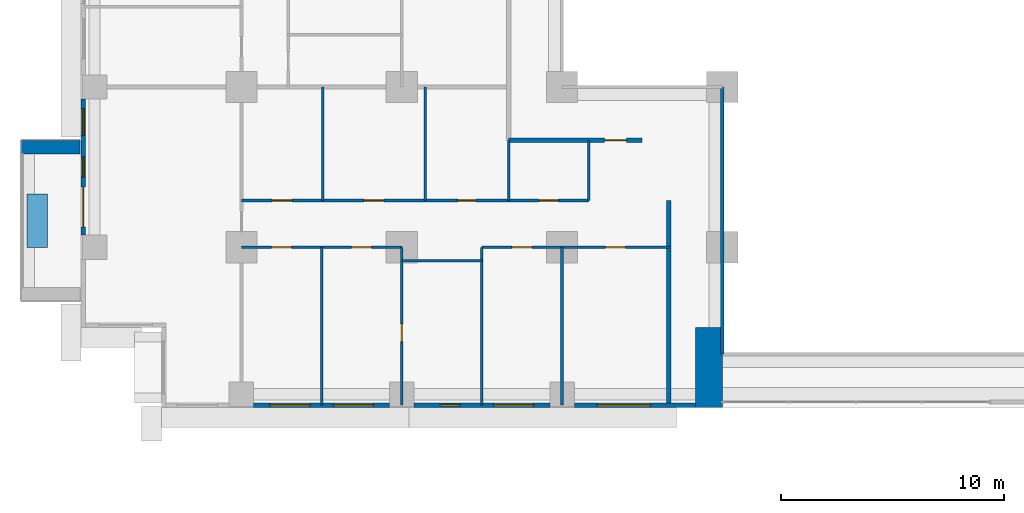
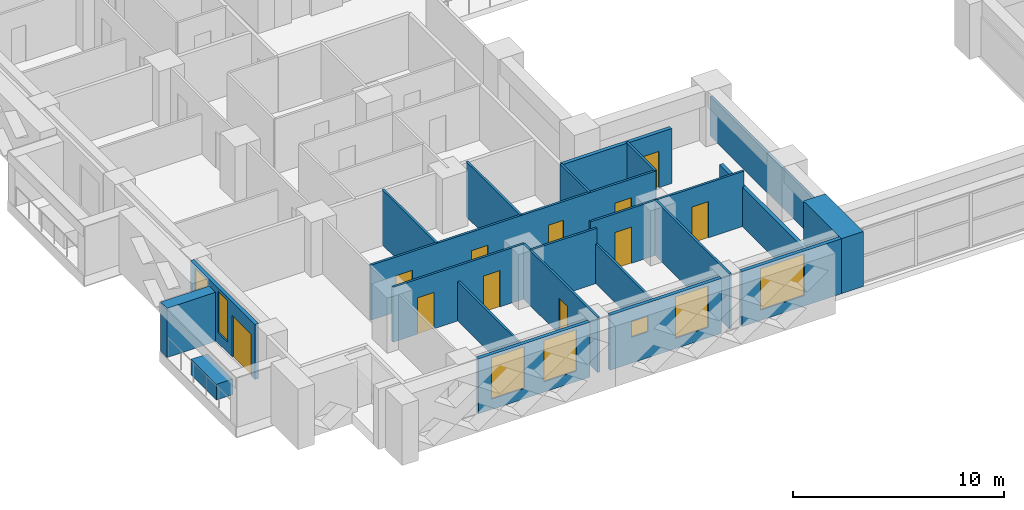
# One storey, part 6 of 16: 22 walls, 11 doors, 7 windows, 18 openings.
"""IFC4 building model written with IfcOpenShell, lengths in metres."""

from ifc_helpers import new_model, si_unit, direction, frame, frame_2d, origin, place, context, subcontext, project, spatial, rectangle, extrude, material, layer, layer_set, type_object, element, fill, save


model = new_model("IFC4")

# Units and contexts
model_context = context("Model", 3, precision=1e-05, world=origin(), true_north=direction((0.0, 1.0)))
body_context = subcontext(model_context, "Body", "Model", "MODEL_VIEW")
ifc_project = project(units=[si_unit("LENGTHUNIT", "METRE"), si_unit("AREAUNIT", "SQUARE_METRE"), si_unit("VOLUMEUNIT", "CUBIC_METRE"), si_unit("PLANEANGLEUNIT", "RADIAN"), si_unit("MASSUNIT", "GRAM", prefix="KILO")], contexts=[model_context])

# Site, building, storey
site_placement = place(None, origin())
site = spatial("IfcSite", under=ifc_project, at=site_placement, CompositionType="ELEMENT")
building_placement = place(site_placement, origin())
building = spatial("IfcBuilding", under=site, at=building_placement, Name="Saffron Iwan Residences", CompositionType="ELEMENT")
storey_placement = place(building_placement, frame((0.0, 0.0, 30.5)))
storey = spatial("IfcBuildingStorey", under=building, at=storey_placement, Name="L06", CompositionType="ELEMENT", Elevation=30.5)

# Walls
ifc_material_1 = material(Name="Fire-rated glazing", Category="glass")
ifc_layer_1 = layer(ifc_material_1, 0.14990234375)
ifc_layer_set_1 = layer_set([ifc_layer_1], Name="Fire-rated glazing")
wall_type_1 = type_object("IfcWallType", Name="Atrium glazed screen 150", PredefinedType="SOLIDWALL", material=ifc_layer_set_1)
wall_1_placement = place(storey_placement, frame((43.199951171875, 36.0, 0.0), z_axis=(0.0, 0.0, 1.0), x_axis=(0.0, 1.0, 0.0)))
element("IfcWall", 1, at=wall_1_placement, inside=storey, type_object=wall_type_1, Name="W-L06-SCREEN-v43.2-36", PredefinedType="SOLIDWALL", context=body_context, shape_type="SweptSolid", body=[
    extrude(rectangle(XDim=12.0, YDim=0.14990234375, at=frame_2d((6.0, 0.0))), origin(), (0.0, 0.0, 1.0), 2.280029296875),
])
ifc_material_2 = material(Name="Concrete C50/60 white painted", Category="concrete")
ifc_layer_2 = layer(ifc_material_2, 0.60009765625)
ifc_layer_set_2 = layer_set([ifc_layer_2], Name="Concrete C50/60 white painted")
wall_type_2 = type_object("IfcWallType", Name="BALCONY FIN 600", PredefinedType="SOLIDWALL", material=ifc_layer_set_2)
wall_2_placement = place(storey_placement, frame((14.35009765625, 45.300048828125, 0.0), z_axis=(0.0, 0.0, 1.0), x_axis=(-1.0, 0.0, 0.0)))
element("IfcWall", 2, at=wall_2_placement, inside=storey, type_object=wall_type_2, Name="Balcony fin L06 F8-2a", PredefinedType="SOLIDWALL", context=body_context, shape_type="SweptSolid", body=[
    extrude(rectangle(XDim=2.650146484375, YDim=0.60009765625, at=frame_2d((1.3251953125, 0.0))), origin(), (0.0, 0.0, 1.0), 2.85009765625),
])
ifc_material_3 = material(Name="Concrete C35/45 white painted", Category="concrete")
ifc_layer_3 = layer(ifc_material_3, 0.14990234375)
ifc_layer_set_3 = layer_set([ifc_layer_3], Name="Concrete C35/45 white painted")
wall_type_3 = type_object("IfcWallType", Name="BALCONY PLANTER", PredefinedType="SOLIDWALL", material=ifc_layer_set_3)
wall_3_placement = place(storey_placement, frame((12.425048828125, 43.199951171875, 0.0), z_axis=(0.0, 0.0, 1.0), x_axis=(0.0, -1.0, 0.0)))
element("IfcWall", 3, at=wall_3_placement, inside=storey, type_object=wall_type_3, Name="PLANTER L06 F8-2", PredefinedType="SOLIDWALL", context=body_context, shape_type="SweptSolid", body=[
    extrude(rectangle(XDim=2.39990234375, YDim=0.89990234375, at=frame_2d((1.199951171875, 0.0))), origin(), (0.0, 0.0, 1.0), 0.89990234375),
])

# Wall, openings, door, windows
ifc_material_4 = material(Name="Concrete C40/50", Category="concrete")
ifc_layer_4 = layer(ifc_material_4, 0.199951171875)
ifc_layer_set_4 = layer_set([ifc_layer_4], Name="Concrete C40/50")
wall_type_4 = type_object("IfcWallType", Name="EXTERNAL WALL 200", PredefinedType="SOLIDWALL", material=ifc_layer_set_4)
wall_4_placement = place(storey_placement, frame((14.5, 47.449951171875, 0.0), z_axis=(0.0, 0.0, 1.0), x_axis=(0.0, -1.0, 0.0)))
wall_4 = element("IfcWall", 4, at=wall_4_placement, inside=storey, type_object=wall_type_4, Name="External wall L06 F8.4", PredefinedType="SOLIDWALL", context=body_context, shape_type="SweptSolid", body=[
    extrude(rectangle(XDim=6.099853515625, YDim=0.199951171875, at=frame_2d((3.0498046875, 0.0))), origin(), (0.0, 0.0, 1.0), 3.179931640625),
])
opening_1_placement = place(wall_4_placement, frame((3.949951171875, 0.0, 0.0)))
opening_1 = element("IfcOpeningElement", 5, at=opening_1_placement, cuts=wall_4, Name="Opening BD1", PredefinedType="OPENING", context=body_context, shape_type="SweptSolid", body=[
    extrude(rectangle(XDim=1.800048828125, YDim=2.39990234375, at=frame_2d((0.89990234375, 1.199951171875))), frame((0.0, 0.10986328125, 0.0), z_axis=(0.0, -1.0, 0.0), x_axis=(1.0, 0.0, 0.0)), (0.0, 0.0, 1.0), 0.219970703125),
])
opening_2_placement = place(wall_4_placement, frame((0.425048828125, 0.0, 0.60009765625)))
opening_2 = element("IfcOpeningElement", 6, at=opening_2_placement, cuts=wall_4, Name="Opening W3", PredefinedType="OPENING", context=body_context, shape_type="SweptSolid", body=[
    extrude(rectangle(XDim=1.199951171875, YDim=2.39990234375, at=frame_2d((0.60009765625, 1.199951171875))), frame((0.0, 0.10986328125, 0.0), z_axis=(0.0, -1.0, 0.0), x_axis=(1.0, 0.0, 0.0)), (0.0, 0.0, 1.0), 0.219970703125),
])
opening_3_placement = place(wall_4_placement, frame((2.60009765625, 0.0, 0.60009765625)))
opening_3 = element("IfcOpeningElement", 7, at=opening_3_placement, cuts=wall_4, Name="Opening W10", PredefinedType="OPENING", context=body_context, shape_type="SweptSolid", body=[
    extrude(rectangle(XDim=0.89990234375, YDim=2.39990234375, at=frame_2d((0.449951171875, 1.199951171875))), frame((0.0, 0.10986328125, 0.0), z_axis=(0.0, -1.0, 0.0), x_axis=(1.0, 0.0, 0.0)), (0.0, 0.0, 1.0), 0.219970703125),
])
ifc_material_5 = material(Name="Clear glass, laminated double glazed", Category="glass")
door_type_1 = type_object("IfcDoorType", Name="BALCONY DOOR 1800 x 2400", OperationType="DOUBLE_DOOR_SLIDING", PredefinedType="DOOR", material=ifc_material_5)
door_1_placement = place(opening_1_placement, origin())
door_1 = element("IfcDoor", 8, at=door_1_placement, inside=storey, type_object=door_type_1, Name="Balcony door L06 F8.0", OperationType="DOUBLE_DOOR_SLIDING", OverallHeight=2.39990234375, OverallWidth=1.800048828125, PredefinedType="DOOR", context=body_context, shape_type="SweptSolid", body=[
    extrude(rectangle(XDim=1.800048828125, YDim=2.39990234375, at=frame_2d((0.89990234375, 1.199951171875))), frame((0.0, 0.02490234375, 0.0), z_axis=(0.0, -1.0, 0.0), x_axis=(1.0, 0.0, 0.0)), (0.0, 0.0, 1.0), 0.050048828125),
])
fill(opening_1, door_1)
window_type_1 = type_object("IfcWindowType", Name="WINDOW 1200 x 2400", PartitioningType="SINGLE_PANEL", PredefinedType="WINDOW", material=ifc_material_5)
window_1_placement = place(opening_2_placement, origin())
window_1 = element("IfcWindow", 9, at=window_1_placement, inside=storey, type_object=window_type_1, Name="Window L06 F8.1", OverallHeight=2.39990234375, OverallWidth=1.199951171875, PartitioningType="SINGLE_PANEL", PredefinedType="WINDOW", context=body_context, shape_type="SweptSolid", body=[
    extrude(rectangle(XDim=1.199951171875, YDim=2.39990234375, at=frame_2d((0.60009765625, 1.199951171875))), frame((0.0, 0.030029296875, 0.0), z_axis=(0.0, -1.0, 0.0), x_axis=(1.0, 0.0, 0.0)), (0.0, 0.0, 1.0), 0.06005859375),
])
fill(opening_2, window_1)
window_type_2 = type_object("IfcWindowType", Name="WINDOW 900 x 2400", PartitioningType="SINGLE_PANEL", PredefinedType="WINDOW", material=ifc_material_5)
window_2_placement = place(opening_3_placement, origin())
window_2 = element("IfcWindow", 10, at=window_2_placement, inside=storey, type_object=window_type_2, Name="Window L06 F8.2", OverallHeight=2.39990234375, OverallWidth=0.89990234375, PartitioningType="SINGLE_PANEL", PredefinedType="WINDOW", context=body_context, shape_type="SweptSolid", body=[
    extrude(rectangle(XDim=0.89990234375, YDim=2.39990234375, at=frame_2d((0.449951171875, 1.199951171875))), frame((0.0, 0.030029296875, 0.0), z_axis=(0.0, -1.0, 0.0), x_axis=(1.0, 0.0, 0.0)), (0.0, 0.0, 1.0), 0.06005859375),
])
fill(opening_3, window_2)

# Wall, openings, windows
wall_5_placement = place(storey_placement, frame((22.14990234375, 33.699951171875, 0.0), z_axis=(0.0, 0.0, 1.0), x_axis=(1.0, 0.0, 0.0)))
wall_5 = element("IfcWall", 11, at=wall_5_placement, inside=storey, type_object=wall_type_4, Name="External wall L06 F11.1", PredefinedType="SOLIDWALL", context=body_context, shape_type="SweptSolid", body=[
    extrude(rectangle(XDim=6.10009765625, YDim=0.199951171875, at=frame_2d((3.050048828125, 0.0))), origin(), (0.0, 0.0, 1.0), 3.179931640625),
])
opening_4_placement = place(wall_5_placement, frame((0.72509765625, 0.0, 0.60009765625)))
opening_4 = element("IfcOpeningElement", 12, at=opening_4_placement, cuts=wall_5, Name="Opening W8", PredefinedType="OPENING", context=body_context, shape_type="SweptSolid", body=[
    extrude(rectangle(XDim=1.800048828125, YDim=2.39990234375, at=frame_2d((0.89990234375, 1.199951171875))), frame((0.0, 0.10986328125, 0.0), z_axis=(0.0, -1.0, 0.0), x_axis=(1.0, 0.0, 0.0)), (0.0, 0.0, 1.0), 0.219970703125),
])
opening_5_placement = place(wall_5_placement, frame((3.574951171875, 0.0, 0.60009765625)))
opening_5 = element("IfcOpeningElement", 13, at=opening_5_placement, cuts=wall_5, Name="Opening W8", PredefinedType="OPENING", context=body_context, shape_type="SweptSolid", body=[
    extrude(rectangle(XDim=1.800048828125, YDim=2.39990234375, at=frame_2d((0.89990234375, 1.199951171875))), frame((0.0, 0.10986328125, 0.0), z_axis=(0.0, -1.0, 0.0), x_axis=(1.0, 0.0, 0.0)), (0.0, 0.0, 1.0), 0.219970703125),
])
window_type_3 = type_object("IfcWindowType", Name="WINDOW 1800 x 2400", PartitioningType="DOUBLE_PANEL_VERTICAL", PredefinedType="WINDOW", material=ifc_material_5)
window_3_placement = place(opening_4_placement, origin())
window_3 = element("IfcWindow", 14, at=window_3_placement, inside=storey, type_object=window_type_3, Name="Window L06 F11.0", OverallHeight=2.39990234375, OverallWidth=1.800048828125, PartitioningType="DOUBLE_PANEL_VERTICAL", PredefinedType="WINDOW", context=body_context, shape_type="SweptSolid", body=[
    extrude(rectangle(XDim=1.800048828125, YDim=2.39990234375, at=frame_2d((0.89990234375, 1.199951171875))), frame((0.0, 0.030029296875, 0.0), z_axis=(0.0, -1.0, 0.0), x_axis=(1.0, 0.0, 0.0)), (0.0, 0.0, 1.0), 0.06005859375),
])
fill(opening_4, window_3)
window_4_placement = place(opening_5_placement, origin())
window_4 = element("IfcWindow", 15, at=window_4_placement, inside=storey, type_object=window_type_3, Name="Window L06 F11.1", OverallHeight=2.39990234375, OverallWidth=1.800048828125, PartitioningType="DOUBLE_PANEL_VERTICAL", PredefinedType="WINDOW", context=body_context, shape_type="SweptSolid", body=[
    extrude(rectangle(XDim=1.800048828125, YDim=2.39990234375, at=frame_2d((0.89990234375, 1.199951171875))), frame((0.0, 0.030029296875, 0.0), z_axis=(0.0, -1.0, 0.0), x_axis=(1.0, 0.0, 0.0)), (0.0, 0.0, 1.0), 0.06005859375),
])
fill(opening_5, window_4)

wall_6_placement = place(storey_placement, frame((29.35009765625, 33.699951171875, 0.0), z_axis=(0.0, 0.0, 1.0), x_axis=(1.0, 0.0, 0.0)))
wall_6 = element("IfcWall", 16, at=wall_6_placement, inside=storey, type_object=wall_type_4, Name="External wall L06 F11.2", PredefinedType="SOLIDWALL", context=body_context, shape_type="SweptSolid", body=[
    extrude(rectangle(XDim=6.099853515625, YDim=0.199951171875, at=frame_2d((3.0498046875, 0.0))), origin(), (0.0, 0.0, 1.0), 3.179931640625),
])
opening_6_placement = place(wall_6_placement, frame((1.175048828125, 0.0, 1.5)))
opening_6 = element("IfcOpeningElement", 17, at=opening_6_placement, cuts=wall_6, Name="Opening W6", PredefinedType="OPENING", context=body_context, shape_type="SweptSolid", body=[
    extrude(rectangle(XDim=0.89990234375, YDim=0.89990234375, at=frame_2d((0.449951171875, 0.449951171875))), frame((0.0, 0.10986328125, 0.0), z_axis=(0.0, -1.0, 0.0), x_axis=(1.0, 0.0, 0.0)), (0.0, 0.0, 1.0), 0.219970703125),
])
opening_7_placement = place(wall_6_placement, frame((3.574951171875, 0.0, 0.60009765625)))
opening_7 = element("IfcOpeningElement", 18, at=opening_7_placement, cuts=wall_6, Name="Opening W8", PredefinedType="OPENING", context=body_context, shape_type="SweptSolid", body=[
    extrude(rectangle(XDim=1.800048828125, YDim=2.39990234375, at=frame_2d((0.89990234375, 1.199951171875))), frame((0.0, 0.10986328125, 0.0), z_axis=(0.0, -1.0, 0.0), x_axis=(1.0, 0.0, 0.0)), (0.0, 0.0, 1.0), 0.219970703125),
])
window_5_placement = place(opening_7_placement, origin())
window_5 = element("IfcWindow", 19, at=window_5_placement, inside=storey, type_object=window_type_3, Name="Window L06 F11.1", OverallHeight=2.39990234375, OverallWidth=1.800048828125, PartitioningType="DOUBLE_PANEL_VERTICAL", PredefinedType="WINDOW", context=body_context, shape_type="SweptSolid", body=[
    extrude(rectangle(XDim=1.800048828125, YDim=2.39990234375, at=frame_2d((0.89990234375, 1.199951171875))), frame((0.0, 0.030029296875, 0.0), z_axis=(0.0, -1.0, 0.0), x_axis=(1.0, 0.0, 0.0)), (0.0, 0.0, 1.0), 0.06005859375),
])
fill(opening_7, window_5)
window_type_4 = type_object("IfcWindowType", Name="WINDOW 900 x 900 BATH", PartitioningType="SINGLE_PANEL", PredefinedType="WINDOW", material=ifc_material_5)
window_6_placement = place(opening_6_placement, origin())
window_6 = element("IfcWindow", 20, at=window_6_placement, inside=storey, type_object=window_type_4, Name="Window L06 F11.0", OverallHeight=0.89990234375, OverallWidth=0.89990234375, PartitioningType="SINGLE_PANEL", PredefinedType="WINDOW", context=body_context, shape_type="SweptSolid", body=[
    extrude(rectangle(XDim=0.89990234375, YDim=0.89990234375, at=frame_2d((0.449951171875, 0.449951171875))), frame((0.0, 0.030029296875, 0.0), z_axis=(0.0, -1.0, 0.0), x_axis=(1.0, 0.0, 0.0)), (0.0, 0.0, 1.0), 0.06005859375),
])
fill(opening_6, window_6)

# Wall, opening, window
wall_7_placement = place(storey_placement, frame((36.550048828125, 33.699951171875, 0.0), z_axis=(0.0, 0.0, 1.0), x_axis=(1.0, 0.0, 0.0)))
wall_7 = element("IfcWall", 21, at=wall_7_placement, inside=storey, type_object=wall_type_4, Name="External wall L06 F11.3", PredefinedType="SOLIDWALL", context=body_context, shape_type="SweptSolid", body=[
    extrude(rectangle(XDim=5.449951171875, YDim=0.199951171875, at=frame_2d((2.72509765625, 0.0))), origin(), (0.0, 0.0, 1.0), 3.179931640625),
])
opening_8_placement = place(wall_7_placement, frame((1.02490234375, 0.0, 0.60009765625)))
opening_8 = element("IfcOpeningElement", 22, at=opening_8_placement, cuts=wall_7, Name="Opening W1", PredefinedType="OPENING", context=body_context, shape_type="SweptSolid", body=[
    extrude(rectangle(XDim=2.39990234375, YDim=2.39990234375, at=frame_2d((1.199951171875, 1.199951171875))), frame((0.0, 0.10986328125, 0.0), z_axis=(0.0, -1.0, 0.0), x_axis=(1.0, 0.0, 0.0)), (0.0, 0.0, 1.0), 0.219970703125),
])
window_type_5 = type_object("IfcWindowType", Name="WINDOW 2400 x 2400", PartitioningType="DOUBLE_PANEL_VERTICAL", PredefinedType="WINDOW", material=ifc_material_5)
window_7_placement = place(opening_8_placement, origin())
window_7 = element("IfcWindow", 23, at=window_7_placement, inside=storey, type_object=window_type_5, Name="Window L06 F11.0", OverallHeight=2.39990234375, OverallWidth=2.39990234375, PartitioningType="DOUBLE_PANEL_VERTICAL", PredefinedType="WINDOW", context=body_context, shape_type="SweptSolid", body=[
    extrude(rectangle(XDim=2.39990234375, YDim=2.39990234375, at=frame_2d((1.199951171875, 1.199951171875))), frame((0.0, 0.030029296875, 0.0), z_axis=(0.0, -1.0, 0.0), x_axis=(1.0, 0.0, 0.0)), (0.0, 0.0, 1.0), 0.06005859375),
])
fill(opening_8, window_7)

# Wall
ifc_material_6 = material(Name="Gypsum board partition")
ifc_layer_5 = layer(ifc_material_6, 0.1201171875)
ifc_layer_set_5 = layer_set([ifc_layer_5], Name="Gypsum board partition")
wall_type_5 = type_object("IfcWallType", Name="Flat partition 120", PredefinedType="PARTITIONING", material=ifc_layer_set_5)
wall_8_placement = place(storey_placement, frame((28.800048828125, 40.199951171875, 0.0), z_axis=(0.0, 0.0, 1.0), x_axis=(1.0, 0.0, 0.0)))
element("IfcWall", 24, at=wall_8_placement, inside=storey, type_object=wall_type_5, Name="W-L06-PART-h40.2-28.8", PredefinedType="PARTITIONING", context=body_context, shape_type="SweptSolid", body=[
    extrude(rectangle(XDim=3.599853515625, YDim=0.1201171875, at=frame_2d((1.7998046875, 0.0))), origin(), (0.0, 0.0, 1.0), 3.179931640625),
])

# Wall, openings, doors
wall_9_placement = place(storey_placement, frame((21.60009765625, 40.800048828125, 0.0), z_axis=(0.0, 0.0, 1.0), x_axis=(1.0, 0.0, 0.0)))
wall_9 = element("IfcWall", 25, at=wall_9_placement, inside=storey, type_object=wall_type_5, Name="W-L06-PART-h40.8-21.6", PredefinedType="PARTITIONING", context=body_context, shape_type="SweptSolid", body=[
    extrude(rectangle(XDim=7.199951171875, YDim=0.1201171875, at=frame_2d((3.60009765625, 0.0))), origin(), (0.0, 0.0, 1.0), 3.179931640625),
])
opening_9_placement = place(wall_9_placement, frame((1.35009765625, 0.0, 0.0)))
opening_9 = element("IfcOpeningElement", 26, at=opening_9_placement, cuts=wall_9, Name="Opening FD2", PredefinedType="OPENING", context=body_context, shape_type="SweptSolid", body=[
    extrude(rectangle(XDim=0.89990234375, YDim=2.10009765625, at=frame_2d((0.449951171875, 1.050048828125))), frame((0.0, 0.070068359375, 0.0), z_axis=(0.0, -1.0, 0.0), x_axis=(1.0, 0.0, 0.0)), (0.0, 0.0, 1.0), 0.14013671875),
])
opening_10_placement = place(wall_9_placement, frame((4.949951171875, 0.0, 0.0)))
opening_10 = element("IfcOpeningElement", 27, at=opening_10_placement, cuts=wall_9, Name="Opening FD2", PredefinedType="OPENING", context=body_context, shape_type="SweptSolid", body=[
    extrude(rectangle(XDim=0.89990234375, YDim=2.10009765625, at=frame_2d((0.449951171875, 1.050048828125))), frame((0.0, 0.070068359375, 0.0), z_axis=(0.0, -1.0, 0.0), x_axis=(1.0, 0.0, 0.0)), (0.0, 0.0, 1.0), 0.14013671875),
])
ifc_material_7 = material(Name="Timber door", Category="wood")
door_type_2 = type_object("IfcDoorType", Name="Flat door 900", OperationType="NOTDEFINED", PredefinedType="DOOR", material=ifc_material_7)
door_2_placement = place(opening_9_placement, origin())
door_2 = element("IfcDoor", 28, at=door_2_placement, inside=storey, type_object=door_type_2, Name="Door L06-003", OperationType="SINGLE_SWING_LEFT", OverallHeight=2.10009765625, OverallWidth=0.89990234375, PredefinedType="DOOR", context=body_context, shape_type="SweptSolid", body=[
    extrude(rectangle(XDim=0.89990234375, YDim=2.10009765625, at=frame_2d((0.449951171875, 1.050048828125))), frame((0.0, 0.02490234375, 0.0), z_axis=(0.0, -1.0, 0.0), x_axis=(1.0, 0.0, 0.0)), (0.0, 0.0, 1.0), 0.050048828125),
])
fill(opening_9, door_2)
door_3_placement = place(opening_10_placement, origin())
door_3 = element("IfcDoor", 29, at=door_3_placement, inside=storey, type_object=door_type_2, Name="Door L06-004", OperationType="SINGLE_SWING_RIGHT", OverallHeight=2.10009765625, OverallWidth=0.89990234375, PredefinedType="DOOR", context=body_context, shape_type="SweptSolid", body=[
    extrude(rectangle(XDim=0.89990234375, YDim=2.10009765625, at=frame_2d((0.449951171875, 1.050048828125))), frame((0.0, 0.02490234375, 0.0), z_axis=(0.0, -1.0, 0.0), x_axis=(1.0, 0.0, 0.0)), (0.0, 0.0, 1.0), 0.050048828125),
])
fill(opening_10, door_3)

wall_10_placement = place(storey_placement, frame((32.39990234375, 40.800048828125, 0.0), z_axis=(0.0, 0.0, 1.0), x_axis=(1.0, 0.0, 0.0)))
wall_10 = element("IfcWall", 30, at=wall_10_placement, inside=storey, type_object=wall_type_5, Name="W-L06-PART-h40.8-32.4", PredefinedType="PARTITIONING", context=body_context, shape_type="SweptSolid", body=[
    extrude(rectangle(XDim=8.400146484375, YDim=0.1201171875, at=frame_2d((4.2001953125, 0.0))), origin(), (0.0, 0.0, 1.0), 3.179931640625),
])
opening_11_placement = place(wall_10_placement, frame((1.35009765625, 0.0, 0.0)))
opening_11 = element("IfcOpeningElement", 31, at=opening_11_placement, cuts=wall_10, Name="Opening FD2", PredefinedType="OPENING", context=body_context, shape_type="SweptSolid", body=[
    extrude(rectangle(XDim=0.89990234375, YDim=2.10009765625, at=frame_2d((0.449951171875, 1.050048828125))), frame((0.0, 0.070068359375, 0.0), z_axis=(0.0, -1.0, 0.0), x_axis=(1.0, 0.0, 0.0)), (0.0, 0.0, 1.0), 0.14013671875),
])
opening_12_placement = place(wall_10_placement, frame((5.550048828125, 0.0, 0.0)))
opening_12 = element("IfcOpeningElement", 32, at=opening_12_placement, cuts=wall_10, Name="Opening FD2", PredefinedType="OPENING", context=body_context, shape_type="SweptSolid", body=[
    extrude(rectangle(XDim=0.89990234375, YDim=2.10009765625, at=frame_2d((0.449951171875, 1.050048828125))), frame((0.0, 0.070068359375, 0.0), z_axis=(0.0, -1.0, 0.0), x_axis=(1.0, 0.0, 0.0)), (0.0, 0.0, 1.0), 0.14013671875),
])
door_4_placement = place(opening_11_placement, origin())
door_4 = element("IfcDoor", 33, at=door_4_placement, inside=storey, type_object=door_type_2, Name="Door L06-006", OperationType="SINGLE_SWING_LEFT", OverallHeight=2.10009765625, OverallWidth=0.89990234375, PredefinedType="DOOR", context=body_context, shape_type="SweptSolid", body=[
    extrude(rectangle(XDim=0.89990234375, YDim=2.10009765625, at=frame_2d((0.449951171875, 1.050048828125))), frame((0.0, 0.02490234375, 0.0), z_axis=(0.0, -1.0, 0.0), x_axis=(1.0, 0.0, 0.0)), (0.0, 0.0, 1.0), 0.050048828125),
])
fill(opening_11, door_4)
door_5_placement = place(opening_12_placement, origin())
door_5 = element("IfcDoor", 34, at=door_5_placement, inside=storey, type_object=door_type_2, Name="Door L06-007", OperationType="SINGLE_SWING_RIGHT", OverallHeight=2.10009765625, OverallWidth=0.89990234375, PredefinedType="DOOR", context=body_context, shape_type="SweptSolid", body=[
    extrude(rectangle(XDim=0.89990234375, YDim=2.10009765625, at=frame_2d((0.449951171875, 1.050048828125))), frame((0.0, 0.02490234375, 0.0), z_axis=(0.0, -1.0, 0.0), x_axis=(1.0, 0.0, 0.0)), (0.0, 0.0, 1.0), 0.050048828125),
])
fill(opening_12, door_5)

wall_11_placement = place(storey_placement, frame((21.60009765625, 42.89990234375, 0.0), z_axis=(0.0, 0.0, 1.0), x_axis=(1.0, 0.0, 0.0)))
wall_11 = element("IfcWall", 35, at=wall_11_placement, inside=storey, type_object=wall_type_5, Name="W-L06-PART-h42.9-21.6", PredefinedType="PARTITIONING", context=body_context, shape_type="SweptSolid", body=[
    extrude(rectangle(XDim=15.599853515625, YDim=0.1201171875, at=frame_2d((7.7998046875, 0.0))), origin(), (0.0, 0.0, 1.0), 3.179931640625),
])
opening_13_placement = place(wall_11_placement, frame((1.375, 0.0, 0.0)))
opening_13 = element("IfcOpeningElement", 36, at=opening_13_placement, cuts=wall_11, Name="Opening FD2", PredefinedType="OPENING", context=body_context, shape_type="SweptSolid", body=[
    extrude(rectangle(XDim=0.89990234375, YDim=2.10009765625, at=frame_2d((0.449951171875, 1.050048828125))), frame((0.0, 0.070068359375, 0.0), z_axis=(0.0, -1.0, 0.0), x_axis=(1.0, 0.0, 0.0)), (0.0, 0.0, 1.0), 0.14013671875),
])
opening_14_placement = place(wall_11_placement, frame((5.5, 0.0, 0.0)))
opening_14 = element("IfcOpeningElement", 37, at=opening_14_placement, cuts=wall_11, Name="Opening FD2", PredefinedType="OPENING", context=body_context, shape_type="SweptSolid", body=[
    extrude(rectangle(XDim=0.89990234375, YDim=2.10009765625, at=frame_2d((0.449951171875, 1.050048828125))), frame((0.0, 0.070068359375, 0.0), z_axis=(0.0, -1.0, 0.0), x_axis=(1.0, 0.0, 0.0)), (0.0, 0.0, 1.0), 0.14013671875),
])
opening_15_placement = place(wall_11_placement, frame((9.72509765625, 0.0, 0.0)))
opening_15 = element("IfcOpeningElement", 38, at=opening_15_placement, cuts=wall_11, Name="Opening FD3", PredefinedType="OPENING", context=body_context, shape_type="SweptSolid", body=[
    extrude(rectangle(XDim=0.800048828125, YDim=2.10009765625, at=frame_2d((0.39990234375, 1.050048828125))), frame((0.0, 0.070068359375, 0.0), z_axis=(0.0, -1.0, 0.0), x_axis=(1.0, 0.0, 0.0)), (0.0, 0.0, 1.0), 0.14013671875),
])
opening_16_placement = place(wall_11_placement, frame((13.35009765625, 0.0, 0.0)))
opening_16 = element("IfcOpeningElement", 39, at=opening_16_placement, cuts=wall_11, Name="Opening FD2", PredefinedType="OPENING", context=body_context, shape_type="SweptSolid", body=[
    extrude(rectangle(XDim=0.89990234375, YDim=2.10009765625, at=frame_2d((0.449951171875, 1.050048828125))), frame((0.0, 0.070068359375, 0.0), z_axis=(0.0, -1.0, 0.0), x_axis=(1.0, 0.0, 0.0)), (0.0, 0.0, 1.0), 0.14013671875),
])
door_type_3 = type_object("IfcDoorType", Name="Bathroom door 800", OperationType="NOTDEFINED", PredefinedType="DOOR", material=ifc_material_7)
door_6_placement = place(opening_15_placement, origin())
door_6 = element("IfcDoor", 40, at=door_6_placement, inside=storey, type_object=door_type_3, Name="Door L06-010", OperationType="SINGLE_SWING_RIGHT", OverallHeight=2.10009765625, OverallWidth=0.800048828125, PredefinedType="DOOR", context=body_context, shape_type="SweptSolid", body=[
    extrude(rectangle(XDim=0.800048828125, YDim=2.10009765625, at=frame_2d((0.39990234375, 1.050048828125))), frame((0.0, 0.02490234375, 0.0), z_axis=(0.0, -1.0, 0.0), x_axis=(1.0, 0.0, 0.0)), (0.0, 0.0, 1.0), 0.050048828125),
])
fill(opening_15, door_6)
door_7_placement = place(opening_13_placement, origin())
door_7 = element("IfcDoor", 41, at=door_7_placement, inside=storey, type_object=door_type_2, Name="Door L06-008", OperationType="SINGLE_SWING_LEFT", OverallHeight=2.10009765625, OverallWidth=0.89990234375, PredefinedType="DOOR", context=body_context, shape_type="SweptSolid", body=[
    extrude(rectangle(XDim=0.89990234375, YDim=2.10009765625, at=frame_2d((0.449951171875, 1.050048828125))), frame((0.0, 0.02490234375, 0.0), z_axis=(0.0, -1.0, 0.0), x_axis=(1.0, 0.0, 0.0)), (0.0, 0.0, 1.0), 0.050048828125),
])
fill(opening_13, door_7)
door_8_placement = place(opening_14_placement, origin())
door_8 = element("IfcDoor", 42, at=door_8_placement, inside=storey, type_object=door_type_2, Name="Door L06-009", OperationType="SINGLE_SWING_LEFT", OverallHeight=2.10009765625, OverallWidth=0.89990234375, PredefinedType="DOOR", context=body_context, shape_type="SweptSolid", body=[
    extrude(rectangle(XDim=0.89990234375, YDim=2.10009765625, at=frame_2d((0.449951171875, 1.050048828125))), frame((0.0, 0.02490234375, 0.0), z_axis=(0.0, -1.0, 0.0), x_axis=(1.0, 0.0, 0.0)), (0.0, 0.0, 1.0), 0.050048828125),
])
fill(opening_14, door_8)
door_9_placement = place(opening_16_placement, origin())
door_9 = element("IfcDoor", 43, at=door_9_placement, inside=storey, type_object=door_type_2, Name="Door L06-011", OperationType="SINGLE_SWING_LEFT", OverallHeight=2.10009765625, OverallWidth=0.89990234375, PredefinedType="DOOR", context=body_context, shape_type="SweptSolid", body=[
    extrude(rectangle(XDim=0.89990234375, YDim=2.10009765625, at=frame_2d((0.449951171875, 1.050048828125))), frame((0.0, 0.02490234375, 0.0), z_axis=(0.0, -1.0, 0.0), x_axis=(1.0, 0.0, 0.0)), (0.0, 0.0, 1.0), 0.050048828125),
])
fill(opening_16, door_9)

# Walls
wall_12_placement = place(storey_placement, frame((25.199951171875, 33.72509765625, 0.0), z_axis=(0.0, 0.0, 1.0), x_axis=(0.0, 1.0, 0.0)))
element("IfcWall", 44, at=wall_12_placement, inside=storey, type_object=wall_type_5, Name="W-L06-PART-v25.2-33.725", PredefinedType="PARTITIONING", context=body_context, shape_type="SweptSolid", body=[
    extrude(rectangle(XDim=7.074951171875, YDim=0.1201171875, at=frame_2d((3.53759765625, 0.0))), origin(), (0.0, 0.0, 1.0), 2.280029296875),
])
wall_13_placement = place(storey_placement, frame((25.25, 42.89990234375, 0.0), z_axis=(0.0, 0.0, 1.0), x_axis=(0.0, 1.0, 0.0)))
element("IfcWall", 45, at=wall_13_placement, inside=storey, type_object=wall_type_5, Name="W-L06-PART-v25.25-42.9", PredefinedType="PARTITIONING", context=body_context, shape_type="SweptSolid", body=[
    extrude(rectangle(XDim=5.10009765625, YDim=0.1201171875, at=frame_2d((2.550048828125, 0.0))), origin(), (0.0, 0.0, 1.0), 3.179931640625),
])

# Wall, opening, door
wall_14_placement = place(storey_placement, frame((28.800048828125, 33.72509765625, 0.0), z_axis=(0.0, 0.0, 1.0), x_axis=(0.0, 1.0, 0.0)))
wall_14 = element("IfcWall", 46, at=wall_14_placement, inside=storey, type_object=wall_type_5, Name="W-L06-PART-v28.8-33.725", PredefinedType="PARTITIONING", context=body_context, shape_type="SweptSolid", body=[
    extrude(rectangle(XDim=7.074951171875, YDim=0.1201171875, at=frame_2d((3.53759765625, 0.0))), origin(), (0.0, 0.0, 1.0), 3.179931640625),
])
opening_17_placement = place(wall_14_placement, frame((2.83740234375, 0.0, 0.0)))
opening_17 = element("IfcOpeningElement", 47, at=opening_17_placement, cuts=wall_14, Name="Opening FD3", PredefinedType="OPENING", context=body_context, shape_type="SweptSolid", body=[
    extrude(rectangle(XDim=0.800048828125, YDim=2.10009765625, at=frame_2d((0.39990234375, 1.050048828125))), frame((0.0, 0.070068359375, 0.0), z_axis=(0.0, -1.0, 0.0), x_axis=(1.0, 0.0, 0.0)), (0.0, 0.0, 1.0), 0.14013671875),
])
door_10_placement = place(opening_17_placement, origin())
door_10 = element("IfcDoor", 48, at=door_10_placement, inside=storey, type_object=door_type_3, Name="Door L06-005", OperationType="SINGLE_SWING_LEFT", OverallHeight=2.10009765625, OverallWidth=0.800048828125, PredefinedType="DOOR", context=body_context, shape_type="SweptSolid", body=[
    extrude(rectangle(XDim=0.800048828125, YDim=2.10009765625, at=frame_2d((0.39990234375, 1.050048828125))), frame((0.0, 0.02490234375, 0.0), z_axis=(0.0, -1.0, 0.0), x_axis=(1.0, 0.0, 0.0)), (0.0, 0.0, 1.0), 0.050048828125),
])
fill(opening_17, door_10)

# Walls
wall_15_placement = place(storey_placement, frame((29.85009765625, 42.89990234375, 0.0), z_axis=(0.0, 0.0, 1.0), x_axis=(0.0, 1.0, 0.0)))
element("IfcWall", 49, at=wall_15_placement, inside=storey, type_object=wall_type_5, Name="W-L06-PART-v29.85-42.9", PredefinedType="PARTITIONING", context=body_context, shape_type="SweptSolid", body=[
    extrude(rectangle(XDim=5.10009765625, YDim=0.1201171875, at=frame_2d((2.550048828125, 0.0))), origin(), (0.0, 0.0, 1.0), 3.179931640625),
])
wall_16_placement = place(storey_placement, frame((32.39990234375, 33.72509765625, 0.0), z_axis=(0.0, 0.0, 1.0), x_axis=(0.0, 1.0, 0.0)))
element("IfcWall", 50, at=wall_16_placement, inside=storey, type_object=wall_type_5, Name="W-L06-PART-v32.4-33.725", PredefinedType="PARTITIONING", context=body_context, shape_type="SweptSolid", body=[
    extrude(rectangle(XDim=7.074951171875, YDim=0.1201171875, at=frame_2d((3.53759765625, 0.0))), origin(), (0.0, 0.0, 1.0), 2.280029296875),
])
wall_17_placement = place(storey_placement, frame((33.60009765625, 42.89990234375, 0.0), z_axis=(0.0, 0.0, 1.0), x_axis=(0.0, 1.0, 0.0)))
element("IfcWall", 51, at=wall_17_placement, inside=storey, type_object=wall_type_5, Name="W-L06-PART-v33.6-42.9", PredefinedType="PARTITIONING", context=body_context, shape_type="SweptSolid", body=[
    extrude(rectangle(XDim=2.7001953125, YDim=0.1201171875, at=frame_2d((1.35009765625, 0.0))), origin(), (0.0, 0.0, 1.0), 3.179931640625),
])
wall_18_placement = place(storey_placement, frame((36.0, 33.72509765625, 0.0), z_axis=(0.0, 0.0, 1.0), x_axis=(0.0, 1.0, 0.0)))
element("IfcWall", 52, at=wall_18_placement, inside=storey, type_object=wall_type_5, Name="W-L06-PART-v36-33.725", PredefinedType="PARTITIONING", context=body_context, shape_type="SweptSolid", body=[
    extrude(rectangle(XDim=7.074951171875, YDim=0.1201171875, at=frame_2d((3.53759765625, 0.0))), origin(), (0.0, 0.0, 1.0), 3.179931640625),
])
wall_19_placement = place(storey_placement, frame((37.199951171875, 42.89990234375, 0.0), z_axis=(0.0, 0.0, 1.0), x_axis=(0.0, 1.0, 0.0)))
element("IfcWall", 53, at=wall_19_placement, inside=storey, type_object=wall_type_5, Name="W-L06-PART-v37.2-42.9", PredefinedType="PARTITIONING", context=body_context, shape_type="SweptSolid", body=[
    extrude(rectangle(XDim=2.7001953125, YDim=0.1201171875, at=frame_2d((1.35009765625, 0.0))), origin(), (0.0, 0.0, 1.0), 3.179931640625),
])

# Wall, opening, door
ifc_material_8 = material(Name="Fire-rated gypsum board wall")
ifc_layer_6 = layer(ifc_material_8, 0.199951171875)
ifc_layer_set_6 = layer_set([ifc_layer_6], Name="Fire-rated gypsum board wall")
wall_type_6 = type_object("IfcWallType", Name="Gallery wall 200", PredefinedType="SOLIDWALL", material=ifc_layer_set_6)
wall_20_placement = place(storey_placement, frame((33.60009765625, 45.60009765625, 0.0), z_axis=(0.0, 0.0, 1.0), x_axis=(1.0, 0.0, 0.0)))
wall_20 = element("IfcWall", 54, at=wall_20_placement, inside=storey, type_object=wall_type_6, Name="W-L06-CORR-h45.6-33.6", PredefinedType="SOLIDWALL", context=body_context, shape_type="SweptSolid", body=[
    extrude(rectangle(XDim=6.0, YDim=0.199951171875, at=frame_2d((3.0, 0.0))), origin(), (0.0, 0.0, 1.0), 3.179931640625),
])
opening_18_placement = place(wall_20_placement, frame((4.300048828125, 0.0, 0.0)))
opening_18 = element("IfcOpeningElement", 55, at=opening_18_placement, cuts=wall_20, Name="Opening FD1", PredefinedType="OPENING", context=body_context, shape_type="SweptSolid", body=[
    extrude(rectangle(XDim=1.0, YDim=2.10009765625, at=frame_2d((0.5, 1.050048828125))), frame((0.0, 0.10986328125, 0.0), z_axis=(0.0, -1.0, 0.0), x_axis=(1.0, 0.0, 0.0)), (0.0, 0.0, 1.0), 0.219970703125),
])
ifc_material_9 = material(Name="Fire-rated timber door", Category="wood")
door_type_4 = type_object("IfcDoorType", Name="FD30S flat entrance door 1000", OperationType="NOTDEFINED", PredefinedType="DOOR", material=ifc_material_9)
door_11_placement = place(opening_18_placement, origin())
door_11 = element("IfcDoor", 56, at=door_11_placement, inside=storey, type_object=door_type_4, Name="Door L06-001", OperationType="SINGLE_SWING_RIGHT", OverallHeight=2.10009765625, OverallWidth=1.0, PredefinedType="DOOR", context=body_context, shape_type="SweptSolid", body=[
    extrude(rectangle(XDim=1.0, YDim=2.10009765625, at=frame_2d((0.5, 1.050048828125))), frame((0.0, 0.02490234375, 0.0), z_axis=(0.0, -1.0, 0.0), x_axis=(1.0, 0.0, 0.0)), (0.0, 0.0, 1.0), 0.050048828125),
])
fill(opening_18, door_11)

# Walls
wall_21_placement = place(storey_placement, frame((40.800048828125, 33.72509765625, 0.0), z_axis=(0.0, 0.0, 1.0), x_axis=(0.0, 1.0, 0.0)))
element("IfcWall", 57, at=wall_21_placement, inside=storey, type_object=wall_type_6, Name="W-L06-CORR-v40.8-33.725", PredefinedType="SOLIDWALL", context=body_context, shape_type="SweptSolid", body=[
    extrude(rectangle(XDim=9.1748046875, YDim=0.199951171875, at=frame_2d((4.58740234375, 0.0))), origin(), (0.0, 0.0, 1.0), 2.280029296875),
])
ifc_material_10 = material(Name="Concrete C60/75", Category="concrete")
ifc_layer_7 = layer(ifc_material_10, 1.199951171875)
ifc_layer_set_7 = layer_set([ifc_layer_7], Name="Concrete C60/75")
wall_type_7 = type_object("IfcWallType", Name="WALL IWAN PIER 1200 C60/75 3180 HIGH", PredefinedType="SHEAR", material=ifc_layer_set_7)
wall_22_placement = place(storey_placement, frame((42.60009765625, 33.60009765625, 0.0), z_axis=(0.0, 0.0, 1.0), x_axis=(0.0, 1.0, 0.0)))
element("IfcWall", 58, at=wall_22_placement, inside=storey, type_object=wall_type_7, Name="IWAN PIER", PredefinedType="SHEAR", context=body_context, shape_type="SweptSolid", body=[
    extrude(rectangle(XDim=3.599853515625, YDim=1.199951171875, at=frame_2d((1.7998046875, 0.0))), origin(), (0.0, 0.0, 1.0), 3.179931640625),
])

save(model, "model.ifc")
